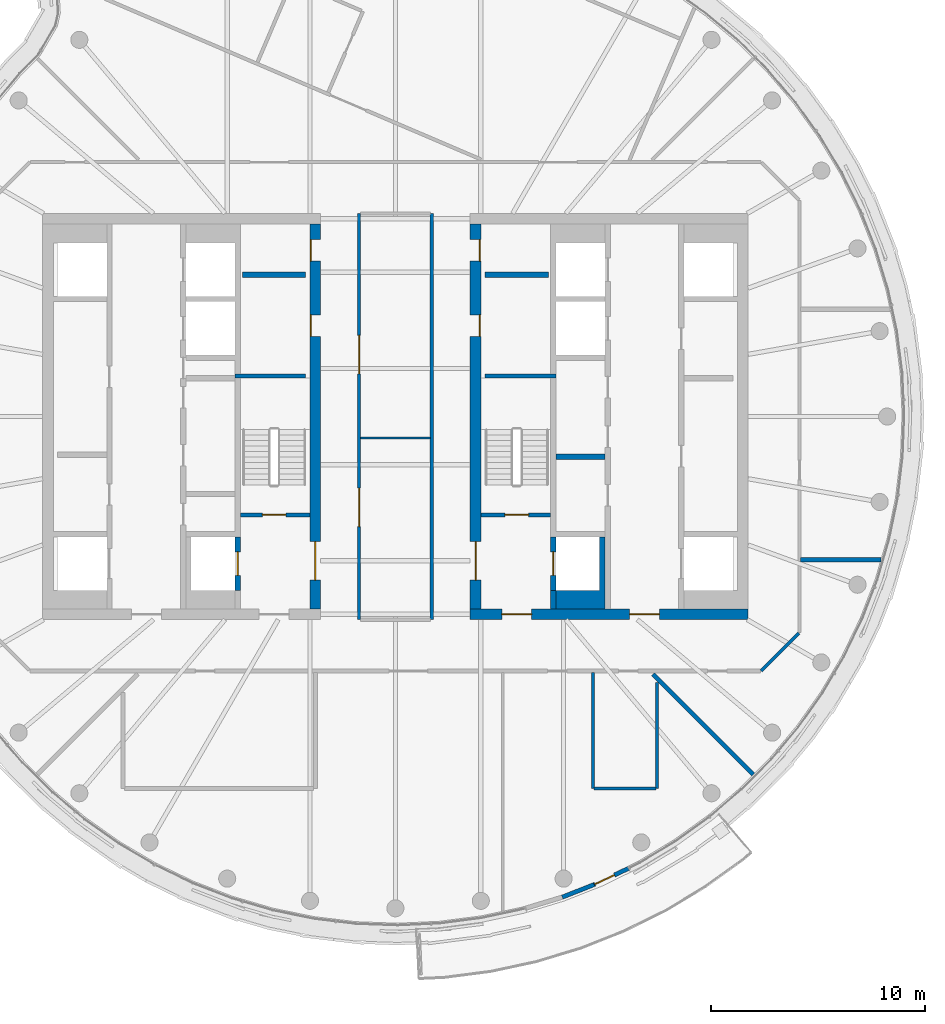
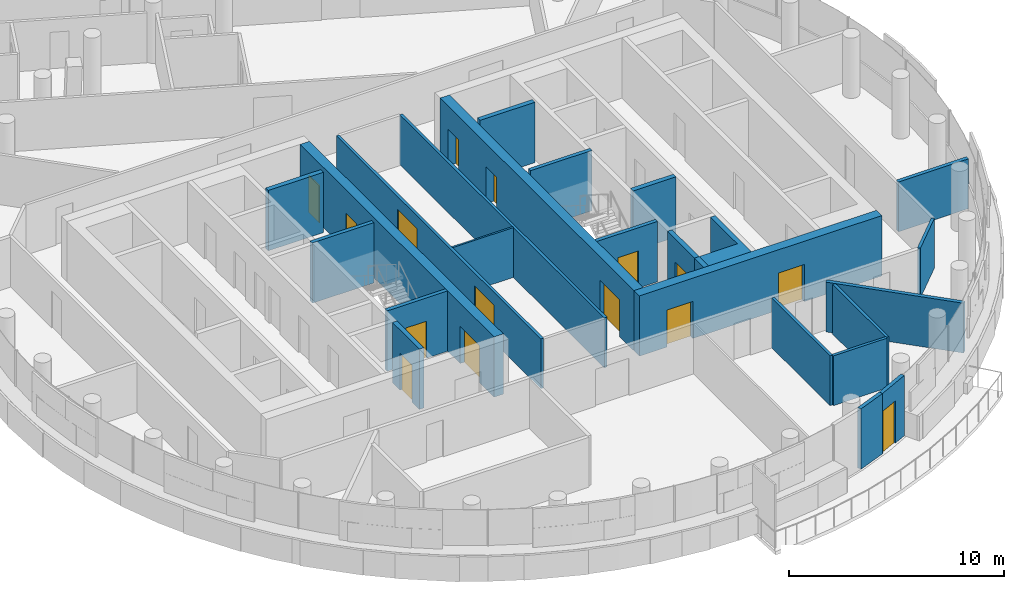
# One storey, part 13 of 20: 25 walls, 15 doors, 15 openings.
"""IFC4 building model written with IfcOpenShell, lengths in metres."""

from ifc_helpers import new_model, si_unit, direction, frame, frame_2d, origin, place, context, subcontext, project, spatial, polyline, rectangle, outline, extrude, material, layer, layer_set, type_object, element, fill, save


model = new_model("IFC4")

# Units and contexts
model_context = context("Model", 3, precision=1e-05, world=origin(), true_north=direction((0.0, 1.0)))
body_context = subcontext(model_context, "Body", "Model", "MODEL_VIEW")
ifc_project = project(units=[si_unit("LENGTHUNIT", "METRE"), si_unit("AREAUNIT", "SQUARE_METRE"), si_unit("VOLUMEUNIT", "CUBIC_METRE"), si_unit("PLANEANGLEUNIT", "RADIAN"), si_unit("MASSUNIT", "GRAM", prefix="KILO")], contexts=[model_context])

# Site, building, storey
site_placement = place(None, origin())
site = spatial("IfcSite", under=ifc_project, at=site_placement, CompositionType="ELEMENT")
building_placement = place(site_placement, origin())
building = spatial("IfcBuilding", under=site, at=building_placement, Name="Tamarind Cross Interchange Tower", CompositionType="ELEMENT")
storey_placement = place(building_placement, frame((0.0, 0.0, 274.800048828125)))
storey = spatial("IfcBuildingStorey", under=building, at=storey_placement, Name="L70", CompositionType="ELEMENT", Elevation=274.800048828125)

# Wall, opening, door
ifc_material_1 = material(Name="Concrete C40", Category="concrete")
ifc_layer_1 = layer(ifc_material_1, 0.199951171875)
ifc_layer_set_1 = layer_set([ifc_layer_1], Name="Concrete C40")
wall_type_1 = type_object("IfcWallType", Name="Balcony and garden door wall", PredefinedType="SOLIDWALL", material=ifc_layer_set_1)
wall_1_placement = place(storey_placement, frame((9.292724609375, -21.892333984375, 0.0), z_axis=(0.0, 0.0, 1.0), x_axis=(0.904313494598, 0.426868953529, 0.0)))
wall_1 = element("IfcWall", 1, at=wall_1_placement, inside=storey, type_object=wall_type_1, Name="EXW-L70-01-D15R", PredefinedType="SOLIDWALL", context=body_context, shape_type="SweptSolid", body=[
    extrude(rectangle(XDim=1.7763671875, YDim=0.199951171875, at=frame_2d((0.88818359375, 0.0))), origin(), (0.0, 0.0, 1.0), 3.419921875),
])
opening_1_placement = place(wall_1_placement, frame((0.050048828125, 0.0, 0.0)))
opening_1 = element("IfcOpeningElement", 2, at=opening_1_placement, cuts=wall_1, Name="Opening D2", PredefinedType="OPENING", context=body_context, shape_type="SweptSolid", body=[
    extrude(rectangle(XDim=1.0, YDim=2.39990234375, at=frame_2d((0.5, 1.199951171875))), frame((0.0, 0.10986328125, 0.0), z_axis=(0.0, -1.0, 0.0), x_axis=(1.0, 0.0, 0.0)), (0.0, 0.0, 1.0), 0.219970703125),
])
ifc_material_2 = material(Name="Aluminium and toughened glass", Category="aluminium")
door_type_1 = type_object("IfcDoorType", Name="Balcony and garden door", OperationType="SINGLE_SWING_LEFT", PredefinedType="DOOR", material=ifc_material_2)
door_1_placement = place(opening_1_placement, origin())
door_1 = element("IfcDoor", 3, at=door_1_placement, inside=storey, type_object=door_type_1, Name="DOR-L70-01-15", OperationType="SINGLE_SWING_LEFT", OverallHeight=2.39990234375, OverallWidth=1.0, PredefinedType="DOOR", context=body_context, shape_type="SweptSolid", body=[
    extrude(rectangle(XDim=1.0, YDim=2.39990234375, at=frame_2d((0.5, 1.199951171875))), frame((0.0, 0.02490234375, 0.0), z_axis=(0.0, -1.0, 0.0), x_axis=(1.0, 0.0, 0.0)), (0.0, 0.0, 1.0), 0.050048828125),
])
fill(opening_1, door_1)

# Wall
wall_2_placement = place(storey_placement, frame((7.80419921875, -22.478759765625, 0.0), z_axis=(0.0, 0.0, 1.0), x_axis=(0.930400507878, 0.366544533365, 0.0)))
element("IfcWall", 4, at=wall_2_placement, inside=storey, type_object=wall_type_1, Name="EXW-L70-01-D15", PredefinedType="SOLIDWALL", context=body_context, shape_type="SweptSolid", body=[
    extrude(rectangle(XDim=1.599853515625, YDim=0.199951171875, at=frame_2d((0.7998046875, 0.0))), origin(), (0.0, 0.0, 1.0), 3.419921875),
])

# Wall, openings, doors
ifc_material_3 = material(Name="Concrete C50", Category="concrete")
ifc_layer_2 = layer(ifc_material_3, 0.5)
ifc_layer_set_2 = layer_set([ifc_layer_2], Name="Concrete C50")
wall_type_2 = type_object("IfcWallType", Name="Core wall 500 mm Concrete C50", PredefinedType="SHEAR", material=ifc_layer_set_2)
wall_3_placement = place(storey_placement, frame((-3.75, -9.0, 0.0), z_axis=(0.0, 0.0, 1.0), x_axis=(0.0, 1.0, 0.0)))
wall_3 = element("IfcWall", 5, at=wall_3_placement, inside=storey, type_object=wall_type_2, Name="Core wall CWL-L70-W-IN", PredefinedType="SHEAR", context=body_context, shape_type="SweptSolid", body=[
    extrude(rectangle(XDim=18.0, YDim=0.5, at=frame_2d((9.0, 0.0))), origin(), (0.0, 0.0, 1.0), 3.419921875),
])
opening_2_placement = place(wall_3_placement, frame((1.35009765625, 0.0, 0.0)))
opening_2 = element("IfcOpeningElement", 6, at=opening_2_placement, cuts=wall_3, Name="Opening DCW4", PredefinedType="OPENING", context=body_context, shape_type="SweptSolid", body=[
    extrude(rectangle(XDim=1.800048828125, YDim=2.10009765625, at=frame_2d((0.89990234375, 1.050048828125))), frame((0.0, 0.260009765625, 0.0), z_axis=(0.0, -1.0, 0.0), x_axis=(1.0, 0.0, 0.0)), (0.0, 0.0, 1.0), 0.52001953125),
])
opening_3_placement = place(wall_3_placement, frame((12.74951171875, 0.0, 0.0)))
opening_3 = element("IfcOpeningElement", 7, at=opening_3_placement, cuts=wall_3, Name="Opening DCW5", PredefinedType="OPENING", context=body_context, shape_type="SweptSolid", body=[
    extrude(rectangle(XDim=1.0, YDim=2.10009765625, at=frame_2d((0.5, 1.050048828125))), frame((0.0, 0.260009765625, 0.0), z_axis=(0.0, -1.0, 0.0), x_axis=(1.0, 0.0, 0.0)), (0.0, 0.0, 1.0), 0.52001953125),
])
opening_4_placement = place(wall_3_placement, frame((16.2744140625, 0.0, 0.0)))
opening_4 = element("IfcOpeningElement", 8, at=opening_4_placement, cuts=wall_3, Name="Opening DCW5", PredefinedType="OPENING", context=body_context, shape_type="SweptSolid", body=[
    extrude(rectangle(XDim=1.0, YDim=2.10009765625, at=frame_2d((0.5, 1.050048828125))), frame((0.0, 0.260009765625, 0.0), z_axis=(0.0, -1.0, 0.0), x_axis=(1.0, 0.0, 0.0)), (0.0, 0.0, 1.0), 0.52001953125),
])
ifc_material_4 = material(Name="Steel, fire-resisting", Category="steel")
door_type_2 = type_object("IfcDoorType", Name="Core fire door 1000 x 2100 FD90", OperationType="SINGLE_SWING_LEFT", PredefinedType="DOOR", material=ifc_material_4)
door_2_placement = place(opening_3_placement, origin())
door_2 = element("IfcDoor", 9, at=door_2_placement, inside=storey, type_object=door_type_2, Name="L70 riser room door", OperationType="SINGLE_SWING_LEFT", OverallHeight=2.10009765625, OverallWidth=1.0, PredefinedType="DOOR", context=body_context, shape_type="SweptSolid", body=[
    extrude(rectangle(XDim=1.0, YDim=2.10009765625, at=frame_2d((0.5, 1.050048828125))), frame((0.0, 0.22509765625, 0.0), z_axis=(0.0, -1.0, 0.0), x_axis=(1.0, 0.0, 0.0)), (0.0, 0.0, 1.0), 0.050048828125),
])
fill(opening_3, door_2)
door_3_placement = place(opening_4_placement, origin())
door_3 = element("IfcDoor", 10, at=door_3_placement, inside=storey, type_object=door_type_2, Name="L70 linen press door", OperationType="SINGLE_SWING_LEFT", OverallHeight=2.10009765625, OverallWidth=1.0, PredefinedType="DOOR", context=body_context, shape_type="SweptSolid", body=[
    extrude(rectangle(XDim=1.0, YDim=2.10009765625, at=frame_2d((0.5, 1.050048828125))), frame((0.0, 0.22509765625, 0.0), z_axis=(0.0, -1.0, 0.0), x_axis=(1.0, 0.0, 0.0)), (0.0, 0.0, 1.0), 0.050048828125),
])
fill(opening_4, door_3)
door_type_3 = type_object("IfcDoorType", Name="Core fire door 1800 x 2100 FD90", OperationType="SINGLE_SWING_LEFT", PredefinedType="DOOR", material=ifc_material_4)
door_4_placement = place(opening_2_placement, origin())
door_4 = element("IfcDoor", 11, at=door_4_placement, inside=storey, type_object=door_type_3, Name="L70 firefighting lobby door", OperationType="SINGLE_SWING_LEFT", OverallHeight=2.10009765625, OverallWidth=1.800048828125, PredefinedType="DOOR", context=body_context, shape_type="SweptSolid", body=[
    extrude(rectangle(XDim=1.800048828125, YDim=2.10009765625, at=frame_2d((0.89990234375, 1.050048828125))), frame((0.0, 0.02490234375, 0.0), z_axis=(0.0, -1.0, 0.0), x_axis=(1.0, 0.0, 0.0)), (0.0, 0.0, 1.0), 0.050048828125),
])
fill(opening_2, door_4)

wall_4_placement = place(storey_placement, frame((16.5, -9.25, 0.0), z_axis=(0.0, 0.0, 1.0), x_axis=(-1.0, 0.0, 0.0)))
wall_4 = element("IfcWall", 12, at=wall_4_placement, inside=storey, type_object=wall_type_2, Name="Core wall CWL-L70-E-S", PredefinedType="SHEAR", context=body_context, shape_type="SweptSolid", body=[
    extrude(rectangle(XDim=13.0, YDim=0.5, at=frame_2d((6.5, 0.0))), origin(), (0.0, 0.0, 1.0), 3.419921875),
])
opening_5_placement = place(wall_4_placement, frame((4.14990234375, 0.0, 0.0)))
opening_5 = element("IfcOpeningElement", 13, at=opening_5_placement, cuts=wall_4, Name="Opening DCE1", PredefinedType="OPENING", context=body_context, shape_type="SweptSolid", body=[
    extrude(rectangle(XDim=1.39990234375, YDim=2.10009765625, at=frame_2d((0.699951171875, 1.050048828125))), frame((0.0, 0.260009765625, 0.0), z_axis=(0.0, -1.0, 0.0), x_axis=(1.0, 0.0, 0.0)), (0.0, 0.0, 1.0), 0.52001953125),
])
opening_6_placement = place(wall_4_placement, frame((10.125, 0.0, 0.0)))
opening_6 = element("IfcOpeningElement", 14, at=opening_6_placement, cuts=wall_4, Name="Opening DCEF", PredefinedType="OPENING", context=body_context, shape_type="SweptSolid", body=[
    extrude(rectangle(XDim=1.39990234375, YDim=2.10009765625, at=frame_2d((0.699951171875, 1.050048828125))), frame((0.0, 0.260009765625, 0.0), z_axis=(0.0, -1.0, 0.0), x_axis=(1.0, 0.0, 0.0)), (0.0, 0.0, 1.0), 0.52001953125),
])
door_type_4 = type_object("IfcDoorType", Name="Core fire door 1400 x 2100 FD90", OperationType="SINGLE_SWING_LEFT", PredefinedType="DOOR", material=ifc_material_4)
door_5_placement = place(opening_5_placement, origin())
door_5 = element("IfcDoor", 15, at=door_5_placement, inside=storey, type_object=door_type_4, Name="L70 lift lobby door", OperationType="SINGLE_SWING_LEFT", OverallHeight=2.10009765625, OverallWidth=1.39990234375, PredefinedType="DOOR", context=body_context, shape_type="SweptSolid", body=[
    extrude(rectangle(XDim=1.39990234375, YDim=2.10009765625, at=frame_2d((0.699951171875, 1.050048828125))), frame((0.0, 0.02490234375, 0.0), z_axis=(0.0, -1.0, 0.0), x_axis=(1.0, 0.0, 0.0)), (0.0, 0.0, 1.0), 0.050048828125),
])
fill(opening_5, door_5)
door_6_placement = place(opening_6_placement, origin())
door_6 = element("IfcDoor", 16, at=door_6_placement, inside=storey, type_object=door_type_4, Name="L70 firefighting lobby end door", OperationType="SINGLE_SWING_LEFT", OverallHeight=2.10009765625, OverallWidth=1.39990234375, PredefinedType="DOOR", context=body_context, shape_type="SweptSolid", body=[
    extrude(rectangle(XDim=1.39990234375, YDim=2.10009765625, at=frame_2d((0.699951171875, 1.050048828125))), frame((0.0, 0.02490234375, 0.0), z_axis=(0.0, -1.0, 0.0), x_axis=(1.0, 0.0, 0.0)), (0.0, 0.0, 1.0), 0.050048828125),
])
fill(opening_6, door_6)

wall_5_placement = place(storey_placement, frame((3.75, -9.0, 0.0), z_axis=(0.0, 0.0, 1.0), x_axis=(0.0, 1.0, 0.0)))
wall_5 = element("IfcWall", 17, at=wall_5_placement, inside=storey, type_object=wall_type_2, Name="Core wall CWL-L70-E-IN", PredefinedType="SHEAR", context=body_context, shape_type="SweptSolid", body=[
    extrude(rectangle(XDim=18.0, YDim=0.5, at=frame_2d((9.0, 0.0))), origin(), (0.0, 0.0, 1.0), 3.419921875),
])
opening_7_placement = place(wall_5_placement, frame((1.35009765625, 0.0, 0.0)))
opening_7 = element("IfcOpeningElement", 18, at=opening_7_placement, cuts=wall_5, Name="Opening DCE4", PredefinedType="OPENING", context=body_context, shape_type="SweptSolid", body=[
    extrude(rectangle(XDim=1.800048828125, YDim=2.10009765625, at=frame_2d((0.89990234375, 1.050048828125))), frame((0.0, 0.260009765625, 0.0), z_axis=(0.0, -1.0, 0.0), x_axis=(1.0, 0.0, 0.0)), (0.0, 0.0, 1.0), 0.52001953125),
])
opening_8_placement = place(wall_5_placement, frame((12.74951171875, 0.0, 0.0)))
opening_8 = element("IfcOpeningElement", 19, at=opening_8_placement, cuts=wall_5, Name="Opening DCE5", PredefinedType="OPENING", context=body_context, shape_type="SweptSolid", body=[
    extrude(rectangle(XDim=1.0, YDim=2.10009765625, at=frame_2d((0.5, 1.050048828125))), frame((0.0, 0.260009765625, 0.0), z_axis=(0.0, -1.0, 0.0), x_axis=(1.0, 0.0, 0.0)), (0.0, 0.0, 1.0), 0.52001953125),
])
opening_9_placement = place(wall_5_placement, frame((16.2744140625, 0.0, 0.0)))
opening_9 = element("IfcOpeningElement", 20, at=opening_9_placement, cuts=wall_5, Name="Opening DCE5", PredefinedType="OPENING", context=body_context, shape_type="SweptSolid", body=[
    extrude(rectangle(XDim=1.0, YDim=2.10009765625, at=frame_2d((0.5, 1.050048828125))), frame((0.0, 0.260009765625, 0.0), z_axis=(0.0, -1.0, 0.0), x_axis=(1.0, 0.0, 0.0)), (0.0, 0.0, 1.0), 0.52001953125),
])
door_7_placement = place(opening_8_placement, origin())
door_7 = element("IfcDoor", 21, at=door_7_placement, inside=storey, type_object=door_type_2, Name="L70 riser room door", OperationType="SINGLE_SWING_LEFT", OverallHeight=2.10009765625, OverallWidth=1.0, PredefinedType="DOOR", context=body_context, shape_type="SweptSolid", body=[
    extrude(rectangle(XDim=1.0, YDim=2.10009765625, at=frame_2d((0.5, 1.050048828125))), frame((0.0, -0.1748046875, 0.0), z_axis=(0.0, -1.0, 0.0), x_axis=(1.0, 0.0, 0.0)), (0.0, 0.0, 1.0), 0.050048828125),
])
fill(opening_8, door_7)
door_8_placement = place(opening_9_placement, origin())
door_8 = element("IfcDoor", 22, at=door_8_placement, inside=storey, type_object=door_type_2, Name="L70 linen press door", OperationType="SINGLE_SWING_LEFT", OverallHeight=2.10009765625, OverallWidth=1.0, PredefinedType="DOOR", context=body_context, shape_type="SweptSolid", body=[
    extrude(rectangle(XDim=1.0, YDim=2.10009765625, at=frame_2d((0.5, 1.050048828125))), frame((0.0, -0.1748046875, 0.0), z_axis=(0.0, -1.0, 0.0), x_axis=(1.0, 0.0, 0.0)), (0.0, 0.0, 1.0), 0.050048828125),
])
fill(opening_9, door_8)
door_9_placement = place(opening_7_placement, origin())
door_9 = element("IfcDoor", 23, at=door_9_placement, inside=storey, type_object=door_type_3, Name="L70 firefighting lobby door", OperationType="SINGLE_SWING_LEFT", OverallHeight=2.10009765625, OverallWidth=1.800048828125, PredefinedType="DOOR", context=body_context, shape_type="SweptSolid", body=[
    extrude(rectangle(XDim=1.800048828125, YDim=2.10009765625, at=frame_2d((0.89990234375, 1.050048828125))), frame((0.0, 0.02490234375, 0.0), z_axis=(0.0, -1.0, 0.0), x_axis=(1.0, 0.0, 0.0)), (0.0, 0.0, 1.0), 0.050048828125),
])
fill(opening_7, door_9)

# Walls
ifc_layer_3 = layer(ifc_material_3, 0.199951171875)
ifc_layer_set_3 = layer_set([ifc_layer_3], Name="Concrete C50")
wall_type_3 = type_object("IfcWallType", Name="Core web wall 200 mm Concrete C50", PredefinedType="SHEAR", material=ifc_layer_set_3)
for number, where, z_axis, x_axis, name in (
    (24, (-7.5, 1.89990234375, 0.0), (0.0, 0.0, 1.0), (1.0, 0.0, 0.0), "Core wall CWL-L70-W-BD"),
    (25, (7.5, 1.89990234375, 0.0), (0.0, 0.0, 1.0), (-1.0, 0.0, 0.0), "Core wall CWL-L70-E-BD"),
):
    element("IfcWall", number, at=place(storey_placement, frame(where, z_axis=z_axis, x_axis=x_axis)), inside=storey, type_object=wall_type_3, Name=name, PredefinedType="SHEAR", context=body_context, shape_type="SweptSolid", body=[
        extrude(rectangle(XDim=3.300048828125, YDim=0.199951171875, at=frame_2d((1.64990234375, 0.0))), origin(), (0.0, 0.0, 1.0), 3.419921875),
    ])

# Wall, opening, door
ifc_layer_4 = layer(ifc_material_3, 0.25)
ifc_layer_set_4 = layer_set([ifc_layer_4], Name="Concrete C50")
wall_type_4 = type_object("IfcWallType", Name="Core web wall 250 mm Concrete C50", PredefinedType="SHEAR", material=ifc_layer_set_4)
wall_6_placement = place(storey_placement, frame((-7.375, -8.125, 0.0), z_axis=(0.0, 0.0, 1.0), x_axis=(0.0, 1.0, 0.0)))
wall_6 = element("IfcWall", 26, at=wall_6_placement, inside=storey, type_object=wall_type_4, Name="Core wall CWL-L70-W-FF", PredefinedType="SHEAR", context=body_context, shape_type="SweptSolid", body=[
    extrude(rectangle(XDim=2.5, YDim=0.25, at=frame_2d((1.25, 0.0))), origin(), (0.0, 0.0, 1.0), 3.419921875),
])
opening_10_placement = place(wall_6_placement, frame((0.699951171875, 0.0, 0.0)))
opening_10 = element("IfcOpeningElement", 27, at=opening_10_placement, cuts=wall_6, Name="Opening LD7L70", PredefinedType="OPENING", context=body_context, shape_type="SweptSolid", body=[
    extrude(rectangle(XDim=1.10009765625, YDim=2.10009765625, at=frame_2d((0.550048828125, 1.050048828125))), frame((0.0, 0.135009765625, 0.0), z_axis=(0.0, -1.0, 0.0), x_axis=(1.0, 0.0, 0.0)), (0.0, 0.0, 1.0), 0.27001953125),
])
ifc_material_5 = material(Name="Stainless steel panel", Category="steel")
door_type_5 = type_object("IfcDoorType", Name="Lift landing door 1100 x 2100 E 120", OperationType="SLIDING_TO_LEFT", PredefinedType="DOOR", material=ifc_material_5)
door_10_placement = place(opening_10_placement, origin())
door_10 = element("IfcDoor", 28, at=door_10_placement, inside=storey, type_object=door_type_5, Name="L70 landing door LF7", OperationType="SLIDING_TO_LEFT", OverallHeight=2.10009765625, OverallWidth=1.10009765625, PredefinedType="DOOR", context=body_context, shape_type="SweptSolid", body=[
    extrude(rectangle(XDim=1.10009765625, YDim=2.10009765625, at=frame_2d((0.550048828125, 1.050048828125))), frame((0.0, 0.02490234375, 0.0), z_axis=(0.0, -1.0, 0.0), x_axis=(1.0, 0.0, 0.0)), (0.0, 0.0, 1.0), 0.050048828125),
])
fill(opening_10, door_10)

# Walls
wall_7_placement = place(storey_placement, origin())
element("IfcWall", 29, at=wall_7_placement, inside=storey, type_object=wall_type_4, Name="Core wall CWL-L70-E-BS", PredefinedType="SHEAR", context=body_context, shape_type="SweptSolid", body=[
    extrude(outline(polyline([(7.5, -8.125), (7.5, -9.0), (9.800048828125, -9.0), (9.800048828125, -8.125), (9.800048828125, -5.625), (9.550048828125, -5.625), (9.550048828125, -8.125), (7.5, -8.125)])), origin(), (0.0, 0.0, 1.0), 3.419921875),
])
wall_8_placement = place(storey_placement, frame((7.375, -9.0, 0.0), z_axis=(0.0, 0.0, 1.0), x_axis=(0.0, 1.0, 0.0)))
element("IfcWall", 30, at=wall_8_placement, inside=storey, type_object=wall_type_4, Name="Core wall CWL-L70-E-BW", PredefinedType="SHEAR", context=body_context, shape_type="SweptSolid", body=[
    extrude(rectangle(XDim=0.875, YDim=0.25, at=frame_2d((0.4375, 0.0))), origin(), (0.0, 0.0, 1.0), 3.419921875),
])

# Wall, opening, door
wall_9_placement = place(storey_placement, frame((7.375, -8.125, 0.0), z_axis=(0.0, 0.0, 1.0), x_axis=(0.0, 1.0, 0.0)))
wall_9 = element("IfcWall", 31, at=wall_9_placement, inside=storey, type_object=wall_type_4, Name="Core wall CWL-L70-E-FF", PredefinedType="SHEAR", context=body_context, shape_type="SweptSolid", body=[
    extrude(rectangle(XDim=2.5, YDim=0.25, at=frame_2d((1.25, 0.0))), origin(), (0.0, 0.0, 1.0), 3.419921875),
])
opening_11_placement = place(wall_9_placement, frame((0.699951171875, 0.0, 0.0)))
opening_11 = element("IfcOpeningElement", 32, at=opening_11_placement, cuts=wall_9, Name="Opening LD19L70", PredefinedType="OPENING", context=body_context, shape_type="SweptSolid", body=[
    extrude(rectangle(XDim=1.10009765625, YDim=2.10009765625, at=frame_2d((0.550048828125, 1.050048828125))), frame((0.0, 0.135009765625, 0.0), z_axis=(0.0, -1.0, 0.0), x_axis=(1.0, 0.0, 0.0)), (0.0, 0.0, 1.0), 0.27001953125),
])
door_11_placement = place(opening_11_placement, origin())
door_11 = element("IfcDoor", 33, at=door_11_placement, inside=storey, type_object=door_type_5, Name="L70 landing door LF19", OperationType="SLIDING_TO_LEFT", OverallHeight=2.10009765625, OverallWidth=1.10009765625, PredefinedType="DOOR", context=body_context, shape_type="SweptSolid", body=[
    extrude(rectangle(XDim=1.10009765625, YDim=2.10009765625, at=frame_2d((0.550048828125, 1.050048828125))), frame((0.0, 0.02490234375, 0.0), z_axis=(0.0, -1.0, 0.0), x_axis=(1.0, 0.0, 0.0)), (0.0, 0.0, 1.0), 0.050048828125),
])
fill(opening_11, door_11)

# Walls
ifc_material_6 = material(Name="Gypsum board partition on steel studs", Category="steel")
ifc_layer_5 = layer(ifc_material_6, 0.10009765625)
ifc_layer_set_5 = layer_set([ifc_layer_5], Name="Gypsum board partition on steel studs")
wall_type_5 = type_object("IfcWallType", Name="Partition 100 mm EI 120", PredefinedType="PARTITIONING", material=ifc_layer_set_5)
wall_10_placement = place(storey_placement, frame((-1.639892578125, -1.0, 0.0), z_axis=(0.0, 0.0, 1.0), x_axis=(1.0, 0.0, 0.0)))
element("IfcWall", 34, at=wall_10_placement, inside=storey, type_object=wall_type_5, Name="Partition L70-023", PredefinedType="PARTITIONING", context=body_context, shape_type="SweptSolid", body=[
    extrude(rectangle(XDim=3.27978515625, YDim=0.10009765625, at=frame_2d((1.639892578125, 0.0))), origin(), (0.0, 0.0, 1.0), 2.823974609375),
])
ifc_layer_6 = layer(ifc_material_6, 0.14990234375)
ifc_layer_set_6 = layer_set([ifc_layer_6], Name="Gypsum board partition on steel studs")
wall_type_6 = type_object("IfcWallType", Name="Partition 150 mm EI 120", PredefinedType="PARTITIONING", material=ifc_layer_set_6)
wall_11_placement = place(storey_placement, frame((9.2958984375, -17.39990234375, 0.0), z_axis=(0.0, 0.0, 1.0), x_axis=(1.0, 0.0, 0.0)))
element("IfcWall", 35, at=wall_11_placement, inside=storey, type_object=wall_type_6, Name="Partition L70-021", PredefinedType="PARTITIONING", context=body_context, shape_type="SweptSolid", body=[
    extrude(rectangle(XDim=2.89013671875, YDim=0.14990234375, at=frame_2d((1.445068359375, 0.0))), origin(), (0.0, 0.0, 1.0), 2.823974609375),
])
wall_12_placement = place(storey_placement, frame((17.10009765625, -11.89990234375, 0.0), z_axis=(0.0, 0.0, 1.0), x_axis=(0.707106781187, 0.707106781187, 0.0)))
element("IfcWall", 36, at=wall_12_placement, inside=storey, type_object=wall_type_6, Name="Partition L70-030", PredefinedType="PARTITIONING", context=body_context, shape_type="SweptSolid", body=[
    extrude(rectangle(XDim=2.50537109375, YDim=0.14990234375, at=frame_2d((1.252685546875, 0.0))), origin(), (0.0, 0.0, 1.0), 2.823974609375),
])

# Wall, openings, doors
wall_13_placement = place(storey_placement, frame((-1.699951171875, -9.5, 0.0), z_axis=(0.0, 0.0, 1.0), x_axis=(0.0, 1.0, 0.0)))
wall_13 = element("IfcWall", 37, at=wall_13_placement, inside=storey, type_object=wall_type_6, Name="Partition L70-043", PredefinedType="PARTITIONING", context=body_context, shape_type="SweptSolid", body=[
    extrude(rectangle(XDim=19.0, YDim=0.14990234375, at=frame_2d((9.5, 0.0))), origin(), (0.0, 0.0, 1.0), 2.823974609375),
])
opening_12_placement = place(wall_13_placement, frame((4.35009765625, 0.0, 0.0)))
opening_12 = element("IfcOpeningElement", 38, at=opening_12_placement, cuts=wall_13, Name="Opening D23", PredefinedType="OPENING", context=body_context, shape_type="SweptSolid", body=[
    extrude(rectangle(XDim=1.800048828125, YDim=2.10009765625, at=frame_2d((0.89990234375, 1.050048828125))), frame((0.0, 0.0849609375, 0.0), z_axis=(0.0, -1.0, 0.0), x_axis=(1.0, 0.0, 0.0)), (0.0, 0.0, 1.0), 0.169921875),
])
opening_13_placement = place(wall_13_placement, frame((11.5, 0.0, 0.0)))
opening_13 = element("IfcOpeningElement", 39, at=opening_13_placement, cuts=wall_13, Name="Opening D24", PredefinedType="OPENING", context=body_context, shape_type="SweptSolid", body=[
    extrude(rectangle(XDim=1.800048828125, YDim=2.10009765625, at=frame_2d((0.89990234375, 1.050048828125))), frame((0.0, 0.0849609375, 0.0), z_axis=(0.0, -1.0, 0.0), x_axis=(1.0, 0.0, 0.0)), (0.0, 0.0, 1.0), 0.169921875),
])
ifc_material_7 = material(Name="Fire-resisting door set")
door_type_6 = type_object("IfcDoorType", Name="Interior door 1800 x 2100 FD60S", OperationType="DOUBLE_DOOR_SINGLE_SWING", PredefinedType="DOOR", material=ifc_material_7)
door_12_placement = place(opening_12_placement, frame((1.800048828125, 0.0, 0.0), z_axis=(0.0, 0.0, 1.0), x_axis=(-1.0, 0.0, 0.0)))
door_12 = element("IfcDoor", 40, at=door_12_placement, inside=storey, type_object=door_type_6, Name="Door D23", OperationType="DOUBLE_DOOR_SINGLE_SWING", OverallHeight=2.10009765625, OverallWidth=1.800048828125, PredefinedType="DOOR", context=body_context, shape_type="SweptSolid", body=[
    extrude(rectangle(XDim=1.800048828125, YDim=2.10009765625, at=frame_2d((0.89990234375, 1.050048828125))), frame((0.0, 0.02490234375, 0.0), z_axis=(0.0, -1.0, 0.0), x_axis=(1.0, 0.0, 0.0)), (0.0, 0.0, 1.0), 0.050048828125),
])
fill(opening_12, door_12)
door_13_placement = place(opening_13_placement, frame((1.800048828125, 0.0, 0.0), z_axis=(0.0, 0.0, 1.0), x_axis=(-1.0, 0.0, 0.0)))
door_13 = element("IfcDoor", 41, at=door_13_placement, inside=storey, type_object=door_type_6, Name="Door D24", OperationType="DOUBLE_DOOR_SINGLE_SWING", OverallHeight=2.10009765625, OverallWidth=1.800048828125, PredefinedType="DOOR", context=body_context, shape_type="SweptSolid", body=[
    extrude(rectangle(XDim=1.800048828125, YDim=2.10009765625, at=frame_2d((0.89990234375, 1.050048828125))), frame((0.0, 0.02490234375, 0.0), z_axis=(0.0, -1.0, 0.0), x_axis=(1.0, 0.0, 0.0)), (0.0, 0.0, 1.0), 0.050048828125),
])
fill(opening_13, door_13)

# Walls
wall_14_placement = place(storey_placement, frame((1.699951171875, -9.5, 0.0), z_axis=(0.0, 0.0, 1.0), x_axis=(0.0, 1.0, 0.0)))
element("IfcWall", 42, at=wall_14_placement, inside=storey, type_object=wall_type_6, Name="Partition L70-044", PredefinedType="PARTITIONING", context=body_context, shape_type="SweptSolid", body=[
    extrude(rectangle(XDim=19.0, YDim=0.14990234375, at=frame_2d((9.5, 0.0))), origin(), (0.0, 0.0, 1.0), 2.823974609375),
])
wall_15_placement = place(storey_placement, frame((9.240966796875, -17.39990234375, 0.0), z_axis=(0.0, 0.0, 1.0), x_axis=(0.0, 1.0, 0.0)))
element("IfcWall", 43, at=wall_15_placement, inside=storey, type_object=wall_type_6, Name="Partition L70-046", PredefinedType="PARTITIONING", context=body_context, shape_type="SweptSolid", body=[
    extrude(rectangle(XDim=5.419921875, YDim=0.14990234375, at=frame_2d((2.7099609375, 0.0))), origin(), (0.0, 0.0, 1.0), 2.823974609375),
])
wall_16_placement = place(storey_placement, frame((12.240966796875, -17.39990234375, 0.0), z_axis=(0.0, 0.0, 1.0), x_axis=(0.0, 1.0, 0.0)))
element("IfcWall", 44, at=wall_16_placement, inside=storey, type_object=wall_type_6, Name="Partition L70-047", PredefinedType="PARTITIONING", context=body_context, shape_type="SweptSolid", body=[
    extrude(rectangle(XDim=4.958984375, YDim=0.14990234375, at=frame_2d((2.4794921875, 0.0))), origin(), (0.0, 0.0, 1.0), 2.823974609375),
])
ifc_layer_7 = layer(ifc_material_6, 0.199951171875)
ifc_layer_set_7 = layer_set([ifc_layer_7], Name="Gypsum board partition on steel studs")
wall_type_7 = type_object("IfcWallType", Name="Partition 200 mm EI 180", PredefinedType="PARTITIONING", material=ifc_layer_set_7)
wall_17_placement = place(storey_placement, frame((12.052001953125, -12.052001953125, 0.0), z_axis=(0.0, 0.0, 1.0), x_axis=(0.707106781187, -0.707106781187, 0.0)))
element("IfcWall", 45, at=wall_17_placement, inside=storey, type_object=wall_type_7, Name="Partition L70-003", PredefinedType="PARTITIONING", context=body_context, shape_type="SweptSolid", body=[
    extrude(rectangle(XDim=6.630615234375, YDim=0.199951171875, at=frame_2d((3.3154296875, 0.0))), origin(), (0.0, 0.0, 1.0), 2.823974609375),
])
wall_18_placement = place(storey_placement, frame((18.955078125, -6.696044921875, 0.0), z_axis=(0.0, 0.0, 1.0), x_axis=(1.0, 0.0, 0.0)))
element("IfcWall", 46, at=wall_18_placement, inside=storey, type_object=wall_type_7, Name="Partition L70-025", PredefinedType="PARTITIONING", context=body_context, shape_type="SweptSolid", body=[
    extrude(rectangle(XDim=3.7529296875, YDim=0.199951171875, at=frame_2d((1.87646484375, 0.0))), origin(), (0.0, 0.0, 1.0), 2.823974609375),
])
ifc_layer_8 = layer(ifc_material_1, 0.25)
ifc_layer_set_8 = layer_set([ifc_layer_8], Name="Concrete C40")
wall_type_8 = type_object("IfcWallType", Name="Shaft and lobby wall 250 mm Concrete C40", PredefinedType="PARTITIONING", material=ifc_layer_set_8)
for number, where, z_axis, x_axis, name in (
    (47, (-7.14990234375, 6.6240234375, 0.0), (0.0, 0.0, 1.0), (1.0, 0.0, 0.0), "Shaft wall CWL-L70-W-SVP"),
    (48, (7.14990234375, 6.6240234375, 0.0), (0.0, 0.0, 1.0), (-1.0, 0.0, 0.0), "Shaft wall CWL-L70-E-SVP"),
):
    element("IfcWall", number, at=place(storey_placement, frame(where, z_axis=z_axis, x_axis=x_axis)), inside=storey, type_object=wall_type_8, Name=name, PredefinedType="PARTITIONING", context=body_context, shape_type="SweptSolid", body=[
        extrude(rectangle(XDim=2.949951171875, YDim=0.25, at=frame_2d((1.47509765625, 0.0))), origin(), (0.0, 0.0, 1.0), 3.419921875),
    ])
wall_19_placement = place(storey_placement, frame((9.800048828125, -1.875, 0.0), z_axis=(0.0, 0.0, 1.0), x_axis=(-1.0, 0.0, 0.0)))
element("IfcWall", 49, at=wall_19_placement, inside=storey, type_object=wall_type_8, Name="Shaft wall CWL-L70-E-FPB1", PredefinedType="PARTITIONING", context=body_context, shape_type="SweptSolid", body=[
    extrude(rectangle(XDim=2.300048828125, YDim=0.25, at=frame_2d((1.14990234375, 0.0))), origin(), (0.0, 0.0, 1.0), 3.419921875),
])

# Wall, opening, door
ifc_layer_9 = layer(ifc_material_1, 0.199951171875)
ifc_layer_set_9 = layer_set([ifc_layer_9], Name="Concrete C40")
wall_type_9 = type_object("IfcWallType", Name="Stair shaft wall 200 mm Concrete C40", PredefinedType="SHEAR", material=ifc_layer_set_9)
wall_20_placement = place(storey_placement, frame((-7.25, -4.60009765625, 0.0), z_axis=(0.0, 0.0, 1.0), x_axis=(1.0, 0.0, 0.0)))
wall_20 = element("IfcWall", 50, at=wall_20_placement, inside=storey, type_object=wall_type_9, Name="Core wall CWL-L70-W-SD", PredefinedType="SHEAR", context=body_context, shape_type="SweptSolid", body=[
    extrude(rectangle(XDim=3.25, YDim=0.199951171875, at=frame_2d((1.625, 0.0))), origin(), (0.0, 0.0, 1.0), 3.419921875),
])
opening_14_placement = place(wall_20_placement, frame((1.02490234375, 0.0, 0.0)))
opening_14 = element("IfcOpeningElement", 51, at=opening_14_placement, cuts=wall_20, Name="Opening DCW6", PredefinedType="OPENING", context=body_context, shape_type="SweptSolid", body=[
    extrude(rectangle(XDim=1.10009765625, YDim=2.10009765625, at=frame_2d((0.550048828125, 1.050048828125))), frame((0.0, 0.10986328125, 0.0), z_axis=(0.0, -1.0, 0.0), x_axis=(1.0, 0.0, 0.0)), (0.0, 0.0, 1.0), 0.219970703125),
])
door_type_7 = type_object("IfcDoorType", Name="Core fire door 1100 x 2100 FD90", OperationType="SINGLE_SWING_LEFT", PredefinedType="DOOR", material=ifc_material_4)
door_14_placement = place(opening_14_placement, origin())
door_14 = element("IfcDoor", 52, at=door_14_placement, inside=storey, type_object=door_type_7, Name="L70 stair door", OperationType="SINGLE_SWING_LEFT", OverallHeight=2.10009765625, OverallWidth=1.10009765625, PredefinedType="DOOR", context=body_context, shape_type="SweptSolid", body=[
    extrude(rectangle(XDim=1.10009765625, YDim=2.10009765625, at=frame_2d((0.550048828125, 1.050048828125))), frame((0.0, 0.02490234375, 0.0), z_axis=(0.0, -1.0, 0.0), x_axis=(1.0, 0.0, 0.0)), (0.0, 0.0, 1.0), 0.050048828125),
])
fill(opening_14, door_14)

wall_21_placement = place(storey_placement, frame((7.25, -4.60009765625, 0.0), z_axis=(0.0, 0.0, 1.0), x_axis=(-1.0, 0.0, 0.0)))
wall_21 = element("IfcWall", 53, at=wall_21_placement, inside=storey, type_object=wall_type_9, Name="Core wall CWL-L70-E-SD", PredefinedType="SHEAR", context=body_context, shape_type="SweptSolid", body=[
    extrude(rectangle(XDim=3.25, YDim=0.199951171875, at=frame_2d((1.625, 0.0))), origin(), (0.0, 0.0, 1.0), 3.419921875),
])
opening_15_placement = place(wall_21_placement, frame((1.02490234375, 0.0, 0.0)))
opening_15 = element("IfcOpeningElement", 54, at=opening_15_placement, cuts=wall_21, Name="Opening DCE6", PredefinedType="OPENING", context=body_context, shape_type="SweptSolid", body=[
    extrude(rectangle(XDim=1.10009765625, YDim=2.10009765625, at=frame_2d((0.550048828125, 1.050048828125))), frame((0.0, 0.10986328125, 0.0), z_axis=(0.0, -1.0, 0.0), x_axis=(1.0, 0.0, 0.0)), (0.0, 0.0, 1.0), 0.219970703125),
])
door_15_placement = place(opening_15_placement, origin())
door_15 = element("IfcDoor", 55, at=door_15_placement, inside=storey, type_object=door_type_7, Name="L70 stair door", OperationType="SINGLE_SWING_LEFT", OverallHeight=2.10009765625, OverallWidth=1.10009765625, PredefinedType="DOOR", context=body_context, shape_type="SweptSolid", body=[
    extrude(rectangle(XDim=1.10009765625, YDim=2.10009765625, at=frame_2d((0.550048828125, 1.050048828125))), frame((0.0, 0.02490234375, 0.0), z_axis=(0.0, -1.0, 0.0), x_axis=(1.0, 0.0, 0.0)), (0.0, 0.0, 1.0), 0.050048828125),
])
fill(opening_15, door_15)

save(model, "model.ifc")
